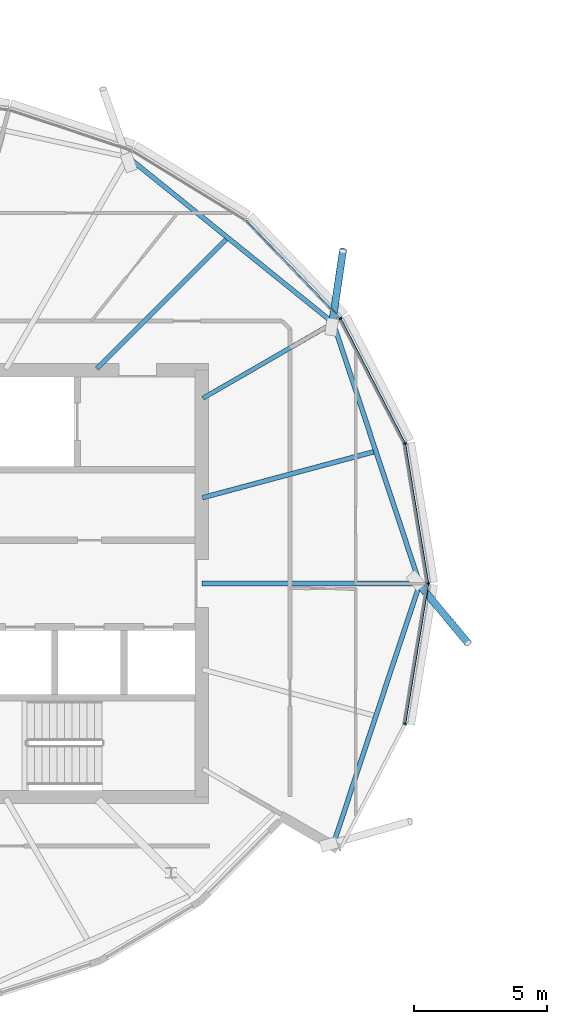
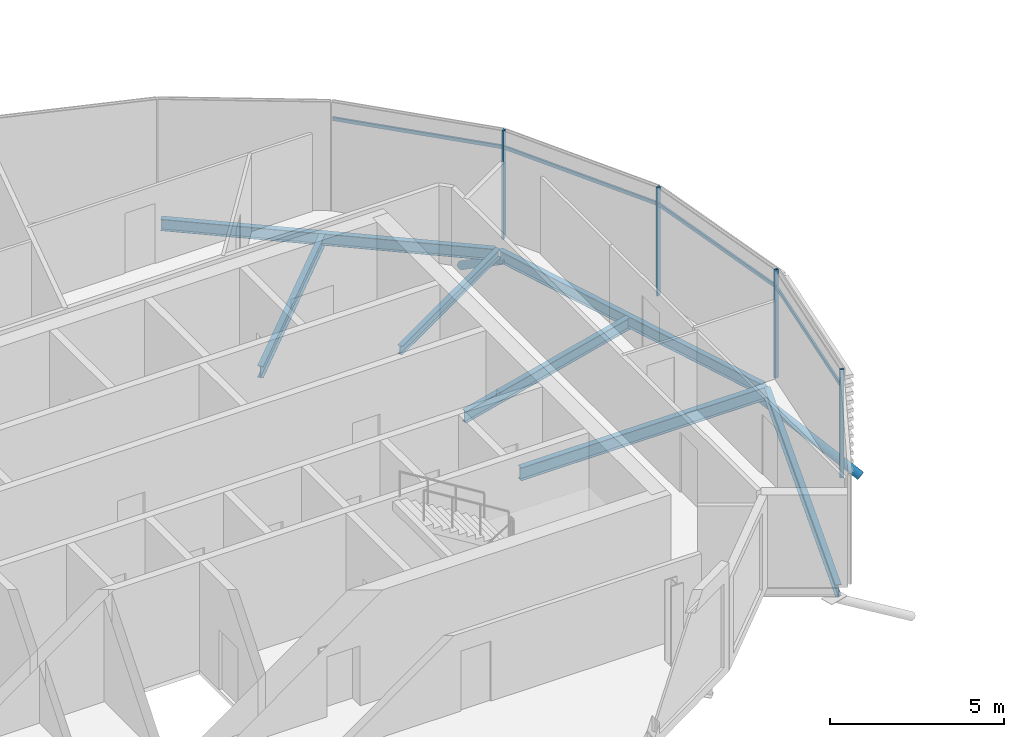
# One storey, part 7 of 33: 10 members, 7 beams, 1 element without a shape of its own.
"""IFC4 building model written with IfcOpenShell, lengths in metres."""

from ifc_helpers import new_model, si_unit, direction, frame, origin, origin_2d, place, context, subcontext, project, spatial, rectangle, hollow_circle, i_section, extrude, clip, halfspace, material, material_profile, profile_set, type_object, element, aggregate, save


model = new_model("IFC4")

# Units and contexts
model_context = context("Model", 3, precision=1e-05, world=origin(), true_north=direction((0.0, 1.0)))
body_context = subcontext(model_context, "Body", "Model", "MODEL_VIEW")
ifc_project = project(units=[si_unit("LENGTHUNIT", "METRE"), si_unit("AREAUNIT", "SQUARE_METRE"), si_unit("VOLUMEUNIT", "CUBIC_METRE"), si_unit("PLANEANGLEUNIT", "RADIAN"), si_unit("MASSUNIT", "GRAM", prefix="KILO")], contexts=[model_context])

# Site, building, storey
site_placement = place(None, origin())
site = spatial("IfcSite", under=ifc_project, at=site_placement, CompositionType="ELEMENT")
building_placement = place(site_placement, origin())
building = spatial("IfcBuilding", under=site, at=building_placement, Name="Rimbun Link Towers", CompositionType="ELEMENT")
storey_placement = place(building_placement, frame((0.0, 0.0, 240.89990234375)))
storey = spatial("IfcBuildingStorey", under=building, at=storey_placement, Name="L59", CompositionType="ELEMENT", Elevation=240.89990234375)

# Curtain wall, members
ifc_material_1 = material(Name="Aluminium 6063-T6 and low-iron glass", Category="aluminium")
curtain_wall_type = type_object("IfcCurtainWallType", Name="CW1-Z4 unitised vision wall (zone 4)", PredefinedType="NOTDEFINED", material=ifc_material_1)
curtain_wall_placement = place(storey_placement, origin())
curtain_wall = element("IfcCurtainWall", 1, at=curtain_wall_placement, inside=storey, type_object=curtain_wall_type, Name="CW1 L59 T1", PredefinedType="NOTDEFINED")
ifc_material_2 = material(Name="Aluminium 6063-T6", Category="aluminium")
ifc_material_profile_1 = material_profile(ifc_material_2, rectangle(XDim=0.1201171875, YDim=0.06005859375, at=origin_2d()), Name="MULLION 60X120")
ifc_profile_set_1 = profile_set([ifc_material_profile_1], Name="Aluminium 6063-T6")
member_type_1 = type_object("IfcMemberType", Name="CW1 mullion 60X120", PredefinedType="MULLION", material=ifc_profile_set_1)
member_1_placement = place(storey_placement, frame((-12.1298828125, 5.260986328125, 0.0), z_axis=(0.0, 0.0, 1.0), x_axis=(0.949161339918, 0.314790010651, 0.0)))
member_1 = element("IfcMember", 2, at=member_1_placement, type_object=member_type_1, Name="CW1 mullion", PredefinedType="MULLION", context=body_context, shape_type="SweptSolid", body=[
    extrude(rectangle(XDim=0.1201171875, YDim=0.06005859375, at=origin_2d()), origin(), (0.0, 0.0, 1.0), 3.800048828125),
])
member_2_placement = place(storey_placement, frame((-11.264892578125, 0.0, 0.0), z_axis=(0.0, 0.0, 1.0), x_axis=(1.0, 0.0, 0.0)))
member_2 = element("IfcMember", 3, at=member_2_placement, type_object=member_type_1, Name="CW1 mullion", PredefinedType="MULLION", context=body_context, shape_type="SweptSolid", body=[
    extrude(rectangle(XDim=0.1201171875, YDim=0.06005859375, at=origin_2d()), origin(), (0.0, 0.0, 1.0), 3.800048828125),
])
member_3_placement = place(storey_placement, frame((-14.549560546875, 9.9375, 0.0), z_axis=(0.0, 0.0, 1.0), x_axis=(0.813347930398, 0.581777572717, 0.0)))
member_3 = element("IfcMember", 4, at=member_3_placement, type_object=member_type_1, Name="CW1 mullion", PredefinedType="MULLION", context=body_context, shape_type="SweptSolid", body=[
    extrude(rectangle(XDim=0.1201171875, YDim=0.06005859375, at=origin_2d()), origin(), (0.0, 0.0, 1.0), 3.800048828125),
])
member_4_placement = place(storey_placement, frame((-12.1298828125, -5.260986328125, 0.0), z_axis=(0.0, 0.0, 1.0), x_axis=(0.949161339918, -0.314790010651, 0.0)))
member_4 = element("IfcMember", 5, at=member_4_placement, type_object=member_type_1, Name="CW1 mullion", PredefinedType="MULLION", context=body_context, shape_type="SweptSolid", body=[
    extrude(rectangle(XDim=0.1201171875, YDim=0.06005859375, at=origin_2d()), origin(), (0.0, 0.0, 1.0), 3.800048828125),
])
ifc_material_3 = material(Name="Aluminium 6063-T6", Category="aluminium")
ifc_material_profile_2 = material_profile(ifc_material_3, rectangle(XDim=0.06005859375, YDim=0.1201171875, at=origin_2d()), Name="TRANSOM 60X120")
ifc_profile_set_2 = profile_set([ifc_material_profile_2], Name="Aluminium 6063-T6")
member_type_2 = type_object("IfcMemberType", Name="CW1 transom 60X120", PredefinedType="USERDEFINED", material=ifc_profile_set_2)
member_5_placement = place(storey_placement, frame((-12.124755859375, 5.221923828125, 3.2001953125), z_axis=(0.162265497576, -0.986747134932, 0.0), x_axis=(0.986747134932, 0.162265497576, 0.0)))
member_5 = element("IfcMember", 6, at=member_5_placement, type_object=member_type_2, Name="CW1 transom", ObjectType="TRANSOM", PredefinedType="USERDEFINED", context=body_context, shape_type="SweptSolid", body=[
    extrude(rectangle(XDim=0.06005859375, YDim=0.1201171875, at=origin_2d()), origin(), (0.0, 0.0, 1.0), 5.25244140625),
])
member_6_placement = place(storey_placement, frame((-14.532958984375, 9.902587890625, 3.2001953125), z_axis=(0.459539428675, -0.888157369779, 0.0), x_axis=(0.888157369779, 0.459539428675, 0.0)))
member_6 = element("IfcMember", 7, at=member_6_placement, type_object=member_type_2, Name="CW1 transom", ObjectType="TRANSOM", PredefinedType="USERDEFINED", context=body_context, shape_type="SweptSolid", body=[
    extrude(rectangle(XDim=0.06005859375, YDim=0.1201171875, at=origin_2d()), origin(), (0.0, 0.0, 1.0), 5.187255859375),
])
member_7_placement = place(storey_placement, frame((-18.083984375, 13.6220703125, 3.2001953125), z_axis=(0.692062314487, -0.721837760766, 0.0), x_axis=(0.721837760766, 0.692062314487, 0.0)))
member_7 = element("IfcMember", 8, at=member_7_placement, type_object=member_type_2, Name="CW1 transom", ObjectType="TRANSOM", PredefinedType="USERDEFINED", context=body_context, shape_type="SweptSolid", body=[
    extrude(rectangle(XDim=0.06005859375, YDim=0.1201171875, at=origin_2d()), origin(), (0.0, 0.0, 1.0), 5.067138671875),
])
member_8_placement = place(storey_placement, frame((-11.2724609375, -0.0390625, 3.2001953125), z_axis=(-0.162265497576, -0.986747134932, 0.0), x_axis=(0.986747134932, -0.162265497576, 0.0)))
member_8 = element("IfcMember", 9, at=member_8_placement, type_object=member_type_2, Name="CW1 transom", ObjectType="TRANSOM", PredefinedType="USERDEFINED", context=body_context, shape_type="SweptSolid", body=[
    extrude(rectangle(XDim=0.06005859375, YDim=0.1201171875, at=origin_2d()), origin(), (0.0, 0.0, 1.0), 5.25244140625),
])
aggregate(curtain_wall, [member_1, member_2, member_3, member_4, member_5, member_6, member_7, member_8])

# Members
ifc_material_4 = material(Name="Steel S355J2H", Category="steel")
ifc_material_profile_3 = material_profile(ifc_material_4, hollow_circle(Radius=0.136474609375, WallThickness=0.012451171875, at=origin_2d()), Name="CHS 273x12.5")
ifc_profile_set_3 = profile_set([ifc_material_profile_3], Name="Steel S355J2H")
member_type_3 = type_object("IfcMemberType", Name="Floor edge link CHS 273x12.5", PredefinedType="BRACE", material=ifc_profile_set_3)
member_9_placement = place(storey_placement, frame((-11.628173828125, 0.0, -0.7080078125), z_axis=(0.536393104724, -0.644500077801, -0.544887224037), x_axis=(0.768625997518, 0.639698425775, 0.0)))
element("IfcMember", 10, at=member_9_placement, inside=storey, type_object=member_type_3, Name="Floor edge link T1 L59 00", PredefinedType="BRACE", context=body_context, shape_type="Clipping", body=[
    clip(extrude(hollow_circle(Radius=0.136474609375, WallThickness=0.012451171875, at=origin_2d()), frame((0.0, 0.0, -0.4384765625)), (0.0, 0.0, 1.0), 3.916259765625), halfspace(frame((0.0, 0.0, -0.206787109375), z_axis=(0.0, 0.838509339889, -0.544887224037)), False)),
])
member_10_placement = place(storey_placement, frame((-14.864501953125, 9.748779296875, -0.5546875), z_axis=(0.11964266926, 0.806997322098, -0.578308701144), x_axis=(-0.989187906656, 0.146653623638, 0.0)))
element("IfcMember", 11, at=member_10_placement, inside=storey, type_object=member_type_3, Name="Floor edge link T1 L59 02", PredefinedType="BRACE", context=body_context, shape_type="Clipping", body=[
    clip(extrude(hollow_circle(Radius=0.136474609375, WallThickness=0.012451171875, at=origin_2d()), frame((0.0, 0.0, -0.40234375)), (0.0, 0.0, 1.0), 3.812255859375), halfspace(frame((0.0, 0.0, -0.189208984375), z_axis=(0.0, 0.815818022712, -0.578308701144)), False)),
])

# Beams
ifc_material_5 = material(Name="Steel S355J2", Category="steel")
ifc_material_profile_4 = material_profile(ifc_material_5, i_section(OverallWidth=0.1650390625, OverallDepth=0.303466796875, WebThickness=0.006103515625, FlangeThickness=0.01025390625, at=origin_2d()), Name="UB 305x165x40")
ifc_profile_set_4 = profile_set([ifc_material_profile_4], Name="Steel S355J2")
beam_type_1 = type_object("IfcBeamType", Name="UB 305x165x40", PredefinedType="BEAM", material=ifc_profile_set_4)
beam_1_placement = place(storey_placement, frame((-19.7080078125, 6.952392578125, -0.29150390625), z_axis=(0.866029956157, 0.499992114976, 0.0), x_axis=(-0.499992114976, 0.866029956157, 0.0)))
element("IfcBeam", 12, at=beam_1_placement, inside=storey, type_object=beam_type_1, Name="Radial beam T1 L59 02", PredefinedType="BEAM", context=body_context, shape_type="SweptSolid", body=[
    extrude(i_section(OverallWidth=0.1650390625, OverallDepth=0.303466796875, WebThickness=0.006103515625, FlangeThickness=0.01025390625, at=origin_2d()), origin(), (0.0, 0.0, 1.0), 5.642578125),
])
ifc_material_6 = material(Name="Steel S355J2", Category="steel")
ifc_material_profile_5 = material_profile(ifc_material_6, i_section(OverallWidth=0.177978515625, OverallDepth=0.406494140625, WebThickness=0.0078125, FlangeThickness=0.0126953125, at=origin_2d()), Name="UB 406x178x60")
ifc_profile_set_5 = profile_set([ifc_material_profile_5], Name="Steel S355J2")
beam_type_2 = type_object("IfcBeamType", Name="UB 406x178x60", PredefinedType="BEAM", material=ifc_profile_set_5)
beam_2_placement = place(storey_placement, frame((-19.72607421875, 3.2216796875, -0.343017578125), z_axis=(0.965919329481, 0.258843290303, 0.0), x_axis=(-0.258843290303, 0.965919329481, 0.0)))
element("IfcBeam", 13, at=beam_2_placement, inside=storey, type_object=beam_type_2, Name="Radial beam T1 L59 01", PredefinedType="BEAM", context=body_context, shape_type="SweptSolid", body=[
    extrude(i_section(OverallWidth=0.177978515625, OverallDepth=0.406494140625, WebThickness=0.0078125, FlangeThickness=0.0126953125, at=origin_2d()), origin(), (0.0, 0.0, 1.0), 6.64013671875),
])
beam_3_placement = place(storey_placement, frame((-23.686279296875, 8.063720703125, -0.343017578125), z_axis=(0.707106781187, 0.707106781187, 0.0), x_axis=(-0.707106781187, 0.707106781187, 0.0)))
element("IfcBeam", 14, at=beam_3_placement, inside=storey, type_object=beam_type_2, Name="Radial beam T1 L59 03", PredefinedType="BEAM", context=body_context, shape_type="SweptSolid", body=[
    extrude(i_section(OverallWidth=0.177978515625, OverallDepth=0.406494140625, WebThickness=0.0078125, FlangeThickness=0.0126953125, at=origin_2d()), origin(), (0.0, 0.0, 1.0), 6.84814453125),
])
beam_4_placement = place(storey_placement, frame((-11.610107421875, 0.095947265625, -0.343017578125), z_axis=(-0.314916418924, 0.949119407183, 0.0), x_axis=(-0.949119407183, -0.314916418924, 0.0)))
element("IfcBeam", 15, at=beam_4_placement, inside=storey, type_object=beam_type_2, Name="Edge beam T1 L59 00-02", PredefinedType="BEAM", context=body_context, shape_type="SweptSolid", body=[
    extrude(i_section(OverallWidth=0.177978515625, OverallDepth=0.406494140625, WebThickness=0.0078125, FlangeThickness=0.0126953125, at=origin_2d()), origin(), (0.0, 0.0, 1.0), 10.111572265625),
])
beam_5_placement = place(storey_placement, frame((-14.890869140625, 9.830078125, -0.343017578125), z_axis=(-0.778075590963, 0.628170657343, 0.0), x_axis=(-0.628170657343, -0.778075590963, 0.0)))
element("IfcBeam", 16, at=beam_5_placement, inside=storey, type_object=beam_type_2, Name="Edge beam T1 L59 02-04", PredefinedType="BEAM", context=body_context, shape_type="SweptSolid", body=[
    extrude(i_section(OverallWidth=0.177978515625, OverallDepth=0.406494140625, WebThickness=0.0078125, FlangeThickness=0.0126953125, at=origin_2d()), origin(), (0.0, 0.0, 1.0), 9.697021484375),
])
beam_6_placement = place(storey_placement, frame((-14.79443359375, -9.693115234375, -0.343017578125), z_axis=(0.314916418924, 0.949119407183, 0.0), x_axis=(-0.949119407183, 0.314916418924, 0.0)))
element("IfcBeam", 17, at=beam_6_placement, inside=storey, type_object=beam_type_2, Name="Edge beam T1 L59 22-00", PredefinedType="BEAM", context=body_context, shape_type="SweptSolid", body=[
    extrude(i_section(OverallWidth=0.177978515625, OverallDepth=0.406494140625, WebThickness=0.0078125, FlangeThickness=0.0126953125, at=origin_2d()), origin(), (0.0, 0.0, 1.0), 10.111572265625),
])
ifc_material_7 = material(Name="Steel S355J2", Category="steel")
ifc_material_profile_6 = material_profile(ifc_material_7, i_section(OverallWidth=0.18994140625, OverallDepth=0.453369140625, WebThickness=0.008544921875, FlangeThickness=0.0126953125, at=origin_2d()), Name="UB 457x191x67")
ifc_profile_set_6 = profile_set([ifc_material_profile_6], Name="Steel S355J2")
beam_type_3 = type_object("IfcBeamType", Name="UB 457x191x67", PredefinedType="BEAM", material=ifc_profile_set_6)
beam_7_placement = place(storey_placement, frame((-19.7490234375, 0.0, -0.36669921875), z_axis=(1.0, 0.0, 0.0), x_axis=(0.0, 1.0, 0.0)))
element("IfcBeam", 18, at=beam_7_placement, inside=storey, type_object=beam_type_3, Name="Radial beam T1 L59 00", PredefinedType="BEAM", context=body_context, shape_type="SweptSolid", body=[
    extrude(i_section(OverallWidth=0.18994140625, OverallDepth=0.453369140625, WebThickness=0.008544921875, FlangeThickness=0.0126953125, at=origin_2d()), origin(), (0.0, 0.0, 1.0), 8.1708984375),
])

save(model, "model.ifc")
